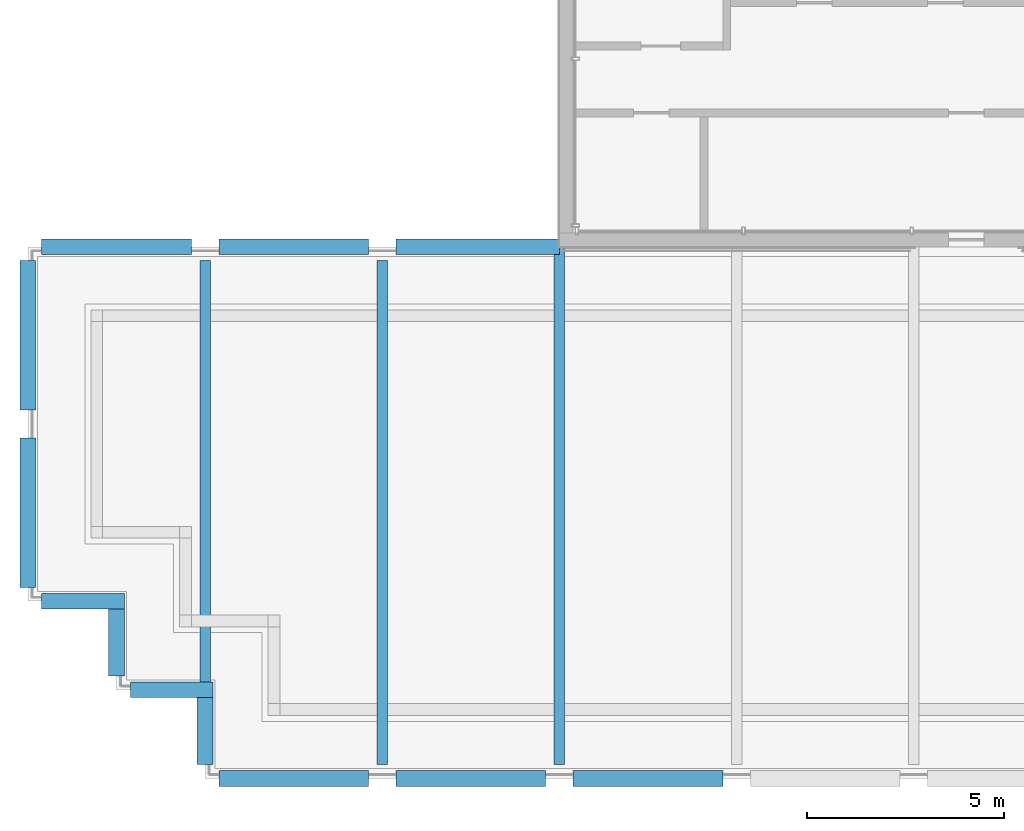
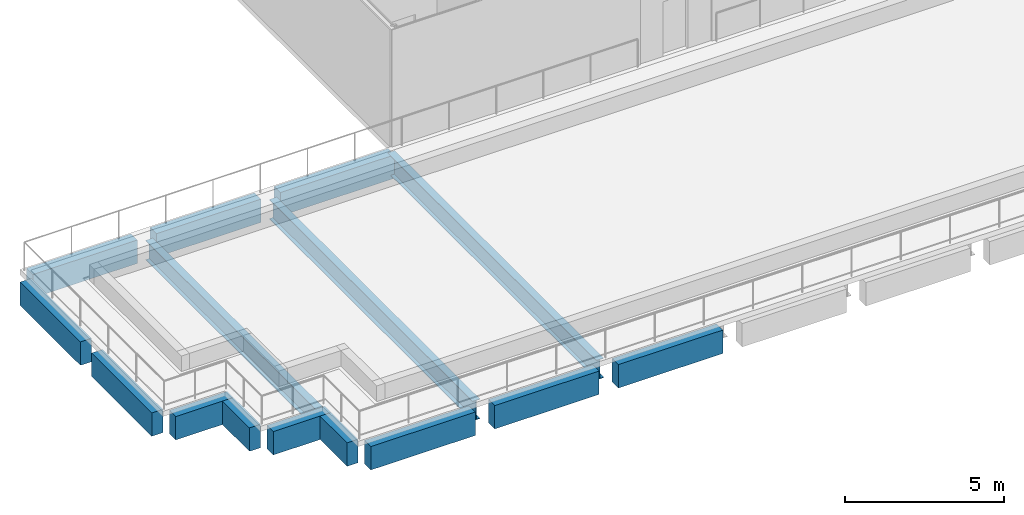
# One storey, part 1 of 11: 15 beams.
"""IFC4 building model written with IfcOpenShell, lengths in metres."""

from ifc_helpers import new_model, si_unit, direction, frame, origin, origin_2d, place, context, subcontext, project, spatial, rectangle, i_section, extrude, material, material_profile, profile_set, type_object, element, save


model = new_model("IFC4")

# Units and contexts
model_context = context("Model", 3, precision=1e-05, world=origin(), true_north=direction((0.0, 1.0)))
body_context = subcontext(model_context, "Body", "Model", "MODEL_VIEW")
ifc_project = project(units=[si_unit("LENGTHUNIT", "METRE"), si_unit("AREAUNIT", "SQUARE_METRE"), si_unit("VOLUMEUNIT", "CUBIC_METRE"), si_unit("PLANEANGLEUNIT", "RADIAN"), si_unit("MASSUNIT", "GRAM", prefix="KILO")], contexts=[model_context])

# Site, building, storey
site_placement = place(None, origin())
site = spatial("IfcSite", under=ifc_project, at=site_placement, CompositionType="ELEMENT")
building_placement = place(site_placement, origin())
building = spatial("IfcBuilding", under=site, at=building_placement, Name="Altepetl Exchange Towers", CompositionType="ELEMENT")
storey_placement = place(building_placement, frame((0.0, 0.0, 274.60009765625)))
storey = spatial("IfcBuildingStorey", under=building, at=storey_placement, Name="L69 Crown plant", CompositionType="ELEMENT", Elevation=274.60009765625)

# Beams
ifc_material_1 = material(Name="Steel S355", Category="steel")
ifc_material_profile_1 = material_profile(ifc_material_1, i_section(OverallWidth=0.26611328125, OverallDepth=0.758056640625, WebThickness=0.013916015625, FlangeThickness=0.019287109375, at=origin_2d()), Name="W30X108")
ifc_profile_set_1 = profile_set([ifc_material_profile_1], Name="Steel S355")
beam_type_1 = type_object("IfcBeamType", Name="Floor beam W30X108", PredefinedType="BEAM", material=ifc_profile_set_1)
beam_1_placement = place(storey_placement, frame((31.5, 29.449951171875, -0.5791015625), z_axis=(0.0, 1.0, 0.0), x_axis=(-1.0, 0.0, 0.0)))
element("IfcBeam", 1, at=beam_1_placement, inside=storey, type_object=beam_type_1, Name="bm:A:L69:t006", PredefinedType="BEAM", context=body_context, shape_type="SweptSolid", body=[
    extrude(i_section(OverallWidth=0.26611328125, OverallDepth=0.758056640625, WebThickness=0.013916015625, FlangeThickness=0.019287109375, at=origin_2d()), origin(), (0.0, 0.0, 1.0), 10.699951171875),
])
beam_2_placement = place(storey_placement, frame((36.0, 27.35009765625, -0.5791015625), z_axis=(0.0, 1.0, 0.0), x_axis=(-1.0, 0.0, 0.0)))
element("IfcBeam", 2, at=beam_2_placement, inside=storey, type_object=beam_type_1, Name="bm:A:L69:t007", PredefinedType="BEAM", context=body_context, shape_type="SweptSolid", body=[
    extrude(i_section(OverallWidth=0.26611328125, OverallDepth=0.758056640625, WebThickness=0.013916015625, FlangeThickness=0.019287109375, at=origin_2d()), origin(), (0.0, 0.0, 1.0), 12.7998046875),
])
beam_3_placement = place(storey_placement, frame((40.5, 27.35009765625, -0.5791015625), z_axis=(0.0, 1.0, 0.0), x_axis=(-1.0, 0.0, 0.0)))
element("IfcBeam", 3, at=beam_3_placement, inside=storey, type_object=beam_type_1, Name="bm:A:L69:t008", PredefinedType="BEAM", context=body_context, shape_type="SweptSolid", body=[
    extrude(i_section(OverallWidth=0.26611328125, OverallDepth=0.758056640625, WebThickness=0.013916015625, FlangeThickness=0.019287109375, at=origin_2d()), origin(), (0.0, 0.0, 1.0), 13.14990234375),
])
ifc_material_2 = material(Name="Concrete C50/60 precast with cantera blanca facing", Category="concrete")
ifc_material_profile_2 = material_profile(ifc_material_2, rectangle(XDim=0.39990234375, YDim=0.89990234375, at=origin_2d()), Name="400 x 900")
ifc_profile_set_2 = profile_set([ifc_material_profile_2], Name="Concrete C50/60 precast with cantera blanca facing")
beam_type_2 = type_object("IfcBeamType", Name="Spandrel beam 400x900 cantera blanca", PredefinedType="SPANDREL", material=ifc_profile_set_2)
for number, where, z_axis, x_axis, name in (
    (4, (31.85009765625, 27.0, -0.650146484375), (1.0, 0.0, 0.0), (0.0, 1.0, 0.0), "sp:A:L69:t000"),
    (5, (36.35009765625, 27.0, -0.650146484375), (1.0, 0.0, 0.0), (0.0, 1.0, 0.0), "sp:A:L69:t001"),
    (6, (40.85009765625, 27.0, -0.650146484375), (1.0, 0.0, 0.0), (0.0, 1.0, 0.0), "sp:A:L69:t002"),
    (7, (27.0, 40.14990234375, -0.650146484375), (0.0, -1.0, 0.0), (1.0, 0.0, 0.0), "sp:A:L69:t026"),
    (8, (27.0, 35.64990234375, -0.650146484375), (0.0, -1.0, 0.0), (1.0, 0.0, 0.0), "sp:A:L69:t027"),
):
    element("IfcBeam", number, at=place(storey_placement, frame(where, z_axis=z_axis, x_axis=x_axis)), inside=storey, type_object=beam_type_2, Name=name, PredefinedType="SPANDREL", context=body_context, shape_type="SweptSolid", body=[
        extrude(rectangle(XDim=0.39990234375, YDim=0.89990234375, at=origin_2d()), origin(), (0.0, 0.0, 1.0), 3.7998046875),
    ])
beam_4_placement = place(storey_placement, frame((27.35009765625, 31.5, -0.650146484375), z_axis=(1.0, 0.0, 0.0), x_axis=(0.0, 1.0, 0.0)))
element("IfcBeam", 9, at=beam_4_placement, inside=storey, type_object=beam_type_2, Name="sp:A:L69:t028", PredefinedType="SPANDREL", context=body_context, shape_type="SweptSolid", body=[
    extrude(rectangle(XDim=0.39990234375, YDim=0.89990234375, at=origin_2d()), origin(), (0.0, 0.0, 1.0), 2.099853515625),
])
beam_5_placement = place(storey_placement, frame((29.25, 31.300048828125, -0.650146484375), z_axis=(0.0, -1.0, 0.0), x_axis=(1.0, 0.0, 0.0)))
element("IfcBeam", 10, at=beam_5_placement, inside=storey, type_object=beam_type_2, Name="sp:A:L69:t029", PredefinedType="SPANDREL", context=body_context, shape_type="SweptSolid", body=[
    extrude(rectangle(XDim=0.39990234375, YDim=0.89990234375, at=origin_2d()), origin(), (0.0, 0.0, 1.0), 1.699951171875),
])
beam_6_placement = place(storey_placement, frame((29.60009765625, 29.25, -0.650146484375), z_axis=(1.0, 0.0, 0.0), x_axis=(0.0, 1.0, 0.0)))
element("IfcBeam", 11, at=beam_6_placement, inside=storey, type_object=beam_type_2, Name="sp:A:L69:t030", PredefinedType="SPANDREL", context=body_context, shape_type="SweptSolid", body=[
    extrude(rectangle(XDim=0.39990234375, YDim=0.89990234375, at=origin_2d()), origin(), (0.0, 0.0, 1.0), 2.099853515625),
])
beam_7_placement = place(storey_placement, frame((31.5, 29.050048828125, -0.650146484375), z_axis=(0.0, -1.0, 0.0), x_axis=(1.0, 0.0, 0.0)))
element("IfcBeam", 12, at=beam_7_placement, inside=storey, type_object=beam_type_2, Name="sp:A:L69:t031", PredefinedType="SPANDREL", context=body_context, shape_type="SweptSolid", body=[
    extrude(rectangle(XDim=0.39990234375, YDim=0.89990234375, at=origin_2d()), origin(), (0.0, 0.0, 1.0), 1.699951171875),
])
ifc_material_3 = material(Name="Concrete C50/60 precast with tezontle facing", Category="concrete")
ifc_material_profile_3 = material_profile(ifc_material_3, rectangle(XDim=0.39990234375, YDim=0.89990234375, at=origin_2d()), Name="400 x 900")
ifc_profile_set_3 = profile_set([ifc_material_profile_3], Name="Concrete C50/60 precast with tezontle facing")
beam_type_3 = type_object("IfcBeamType", Name="Spandrel beam 400x900 tezontle", PredefinedType="SPANDREL", material=ifc_profile_set_3)
beam_8_placement = place(storey_placement, frame((40.5, 40.5, -0.650146484375), z_axis=(-1.0, 0.0, 0.0), x_axis=(0.0, -1.0, 0.0)))
element("IfcBeam", 13, at=beam_8_placement, inside=storey, type_object=beam_type_3, Name="sp:A:L69:t023", PredefinedType="SPANDREL", context=body_context, shape_type="SweptSolid", body=[
    extrude(rectangle(XDim=0.39990234375, YDim=0.89990234375, at=origin_2d()), origin(), (0.0, 0.0, 1.0), 4.14990234375),
])
for number, where, z_axis, x_axis, name in (
    (14, (35.64990234375, 40.5, -0.650146484375), (-1.0, 0.0, 0.0), (0.0, -1.0, 0.0), "sp:A:L69:t024"),
    (15, (31.14990234375, 40.5, -0.650146484375), (-1.0, 0.0, 0.0), (0.0, -1.0, 0.0), "sp:A:L69:t025"),
):
    element("IfcBeam", number, at=place(storey_placement, frame(where, z_axis=z_axis, x_axis=x_axis)), inside=storey, type_object=beam_type_3, Name=name, PredefinedType="SPANDREL", context=body_context, shape_type="SweptSolid", body=[
        extrude(rectangle(XDim=0.39990234375, YDim=0.89990234375, at=origin_2d()), origin(), (0.0, 0.0, 1.0), 3.7998046875),
    ])

save(model, "model.ifc")
